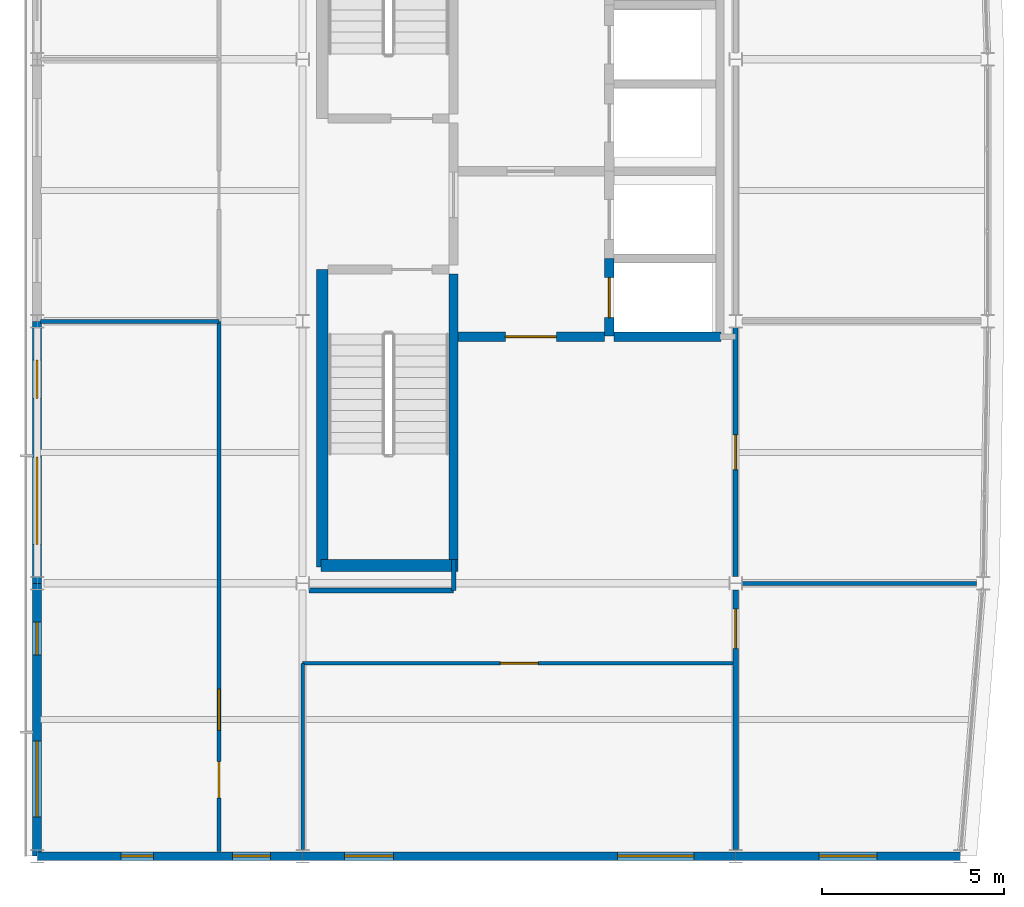
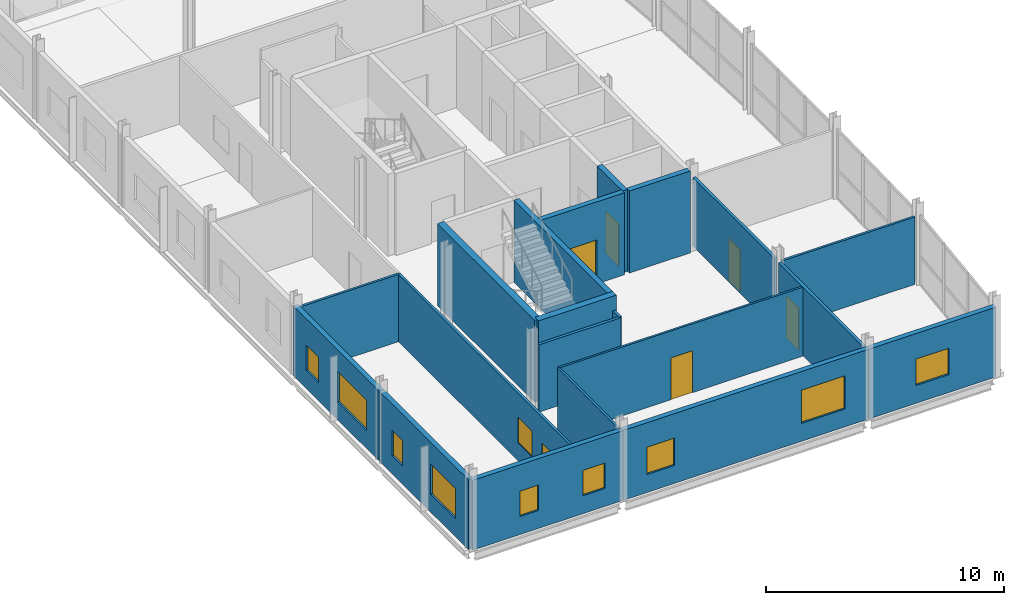
# One storey, part 11 of 16: 20 walls, 10 windows, 6 doors, 16 openings.
"""IFC4 building model written with IfcOpenShell, lengths in metres."""

import ifcopenshell
import ifcopenshell.guid

model = None  # the IFC model being written
_history = None  # IfcOwnerHistory: only IFC2X3 demands one
_inside = {}  # id of a spatial element -> (the spatial element, [elements in it])
_under = {}  # id of a project, library or spatial element -> (it, [spatial elements below it])
_declared = {}  # id of a project -> (the project, [libraries it declares])
_typed = {}  # id of a type object -> (the type object, [elements of that type])
_made_of = {}  # id of a material, layer set ... -> (it, [elements and type objects made of it])


def new_model(schema):
    """Start an empty IFC model of exactly this schema.

    Asked for "IFC4X3", IfcOpenShell would pick the latest addendum, in which some entities
    have other attributes; the version numbers below select the first issue.
    IFC2X3 requires an IfcOwnerHistory on every rooted entity: one is made here for all.
    """
    global model, _history
    if schema == "IFC4X3":
        model = ifcopenshell.file(schema_version=(4, 3, 0, 0))
    else:
        model = ifcopenshell.file(schema=schema)
    _inside.clear()
    _under.clear()
    _declared.clear()
    _typed.clear()
    _made_of.clear()
    _history = None
    if model.schema == "IFC2X3":
        org = make("IfcOrganization", Name="unknown")
        user = make(
            "IfcPersonAndOrganization",
            ThePerson=make("IfcPerson", FamilyName="unknown"),
            TheOrganization=org,
        )
        app = make(
            "IfcApplication",
            ApplicationDeveloper=org,
            Version="unknown",
            ApplicationFullName="unknown",
            ApplicationIdentifier="unknown",
        )
        _history = make(
            "IfcOwnerHistory",
            OwningUser=user,
            OwningApplication=app,
            ChangeAction="ADDED",
            CreationDate=0,
        )
    return model


def make(cls, **values):
    """One entity of the class cls with the attributes given. An attribute that is None is left unset."""
    return model.create_entity(
        cls, **{name: value for name, value in values.items() if value is not None}
    )


def rooted(cls, **values):
    """An entity with a GlobalId (a new one), such as an element, a storey or a relation."""
    return make(cls, GlobalId=ifcopenshell.guid.new(), OwnerHistory=_history, **values)


def si_unit(unit_type, name, prefix=None):
    """IfcSIUnit, for example si_unit("LENGTHUNIT", "METRE", prefix="MILLI")."""
    return make("IfcSIUnit", UnitType=unit_type, Prefix=prefix, Name=name)


def assignment(units):
    """IfcUnitAssignment: the units of a project."""
    return None if units is None else make("IfcUnitAssignment", Units=units)


def point(xyz):
    """IfcCartesianPoint."""
    return None if xyz is None else make("IfcCartesianPoint", Coordinates=xyz)


def direction(xyz):
    """IfcDirection."""
    return None if xyz is None else make("IfcDirection", DirectionRatios=xyz)


def frame(location, z_axis=None, x_axis=None):
    """IfcAxis2Placement3D, a coordinate frame: its origin and axes. An axis left out is left unset."""
    return make(
        "IfcAxis2Placement3D",
        Location=point(location),
        Axis=direction(z_axis),
        RefDirection=direction(x_axis),
    )


def frame_2d(location, x_axis=None):
    """IfcAxis2Placement2D, a coordinate frame in the plane: its origin and x axis."""
    return make(
        "IfcAxis2Placement2D", Location=point(location), RefDirection=direction(x_axis)
    )


def origin():
    """The frame at (0, 0, 0) with its axes left unset."""
    return frame((0.0, 0.0, 0.0))


def place(relative_to, where):
    """IfcLocalPlacement: puts the frame where relative to a parent placement (None: the world)."""
    return make(
        "IfcLocalPlacement", PlacementRelTo=relative_to, RelativePlacement=where
    )


def context(
    kind, dimensions, precision=None, world=None, true_north=None, identifier=None
):
    """IfcGeometricRepresentationContext, for example the 3D "Model" context."""
    return make(
        "IfcGeometricRepresentationContext",
        ContextIdentifier=identifier,
        ContextType=kind,
        CoordinateSpaceDimension=dimensions,
        Precision=precision,
        WorldCoordinateSystem=world,
        TrueNorth=true_north,
    )


def subcontext(parent, identifier, kind, view, scale=None):
    """IfcGeometricRepresentationSubContext, for example "Body" below "Model"."""
    return make(
        "IfcGeometricRepresentationSubContext",
        ContextIdentifier=identifier,
        ContextType=kind,
        ParentContext=parent,
        TargetScale=scale,
        TargetView=view,
    )


def project(units=None, contexts=None):
    """IfcProject with its units and contexts."""
    return rooted(
        "IfcProject",
        Name="project",
        RepresentationContexts=contexts,
        UnitsInContext=assignment(units),
    )


def spatial(cls, under=None, at=None, **own):
    """A site, building, storey or space (cls), placed at a placement, below another one or the project."""
    s = rooted(cls, ObjectPlacement=at, **own)
    if under is not None:
        _under.setdefault(under.id(), (under, []))[1].append(s)
    return s


def profile(cls, at=None, kind="AREA", **sizes):
    """A parametric profile (cls). Its sizes go by their IFC names, for example OverallWidth=200.0."""
    return make(cls, ProfileType=kind, Position=at, **sizes)


def rectangle(**sizes):
    """IfcRectangleProfileDef."""
    return profile("IfcRectangleProfileDef", **sizes)


def extrude(swept, where, along, depth):
    """IfcExtrudedAreaSolid: the profile swept, set in the frame where, extruded along a direction by depth."""
    return make(
        "IfcExtrudedAreaSolid",
        SweptArea=swept,
        Position=where,
        ExtrudedDirection=direction(along),
        Depth=depth,
    )


def shape(context_of_items, identifier, shape_type, items):
    """IfcShapeRepresentation: the items that make up one representation, for example the "Body"."""
    return make(
        "IfcShapeRepresentation",
        ContextOfItems=context_of_items,
        RepresentationIdentifier=identifier,
        RepresentationType=shape_type,
        Items=items,
    )


def material(Name=None, Category=None):
    """IfcMaterial."""
    return make("IfcMaterial", Name=Name, Category=Category)


def layer(
    of_material, thickness, ventilated=None, Name=None, Category=None, Priority=None
):
    """IfcMaterialLayer: one layer of a wall or slab, of a material (None: an air gap)."""
    return make(
        "IfcMaterialLayer",
        Material=of_material,
        LayerThickness=thickness,
        IsVentilated=ventilated,
        Name=Name,
        Category=Category,
        Priority=Priority,
    )


def layer_set(layers, Name=None):
    """IfcMaterialLayerSet."""
    return make("IfcMaterialLayerSet", MaterialLayers=layers, LayerSetName=Name)


def made_of(thing, what):
    """Note that an element or type object is made of a material, layer set ...; save() writes the relation."""
    if what is not None:
        _made_of.setdefault(what.id(), (what, []))[1].append(thing)
    return thing


def type_object(cls, material=None, **own):
    """A type object (cls), such as IfcWallType, which elements share."""
    return made_of(rooted(cls, **own), material)


def element(
    cls,
    number,
    at=None,
    inside=None,
    cuts=None,
    type_object=None,
    material=None,
    context=None,
    identifier="Body",
    shape_type=None,
    held_by="IfcProductDefinitionShape",
    body=None,
    shapes=None,
    **own,
):
    """One element of the class cls, such as IfcWall. Its Tag is "e" and its number.

    at: its placement. inside: the storey or other place that contains it. cuts: it is an
    opening in that element (IfcRelVoidsElement). A single representation is given by context,
    identifier, shape_type and body (its items); several are given by shapes. held_by: the class
    of the entity that holds the representations. save() writes the other relations.
    """
    e = rooted(cls, Tag="e%d" % number, ObjectPlacement=at, **own)
    if body is not None:
        shapes = [shape(context, identifier, shape_type, body)]
    if shapes is not None:
        e.Representation = make(held_by, Representations=shapes)
    if inside is not None:
        _inside.setdefault(inside.id(), (inside, []))[1].append(e)
    if cuts is not None:
        rooted(
            "IfcRelVoidsElement", RelatingBuildingElement=cuts, RelatedOpeningElement=e
        )
    if type_object is not None:
        _typed.setdefault(type_object.id(), (type_object, []))[1].append(e)
    return made_of(e, material)


def fill(opening, filler):
    """IfcRelFillsElement: the door or window that sits in an opening."""
    return rooted(
        "IfcRelFillsElement",
        RelatingOpeningElement=opening,
        RelatedBuildingElement=filler,
    )


def aggregate(whole, parts):
    """IfcRelAggregates: a whole, such as a stair, and the parts it consists of."""
    return rooted("IfcRelAggregates", RelatingObject=whole, RelatedObjects=parts)


def save(model, path):
    """Write the relations noted so far, then the file.

    IfcRelAggregates (storeys below a building ...), IfcRelContainedInSpatialStructure (elements
    in a storey), IfcRelDefinesByType, IfcRelAssociatesMaterial and IfcRelDeclares: one each for
    every whole, place, type object, material and project.
    """
    for whole, parts in _under.values():
        aggregate(whole, parts)
    for where, things in _inside.values():
        rooted(
            "IfcRelContainedInSpatialStructure",
            RelatedElements=things,
            RelatingStructure=where,
        )
    for kind, things in _typed.values():
        rooted("IfcRelDefinesByType", RelatedObjects=things, RelatingType=kind)
    for what, things in _made_of.values():
        rooted("IfcRelAssociatesMaterial", RelatedObjects=things, RelatingMaterial=what)
    for by, libraries in _declared.values():
        rooted("IfcRelDeclares", RelatingContext=by, RelatedDefinitions=libraries)
    model.write(path)


model = new_model("IFC4")

# Units and contexts
model_context = context("Model", 3, precision=1e-05, world=origin(), true_north=direction((0.0, 1.0)))
body_context = subcontext(model_context, "Body", "Model", "MODEL_VIEW")
ifc_project = project(units=[si_unit("LENGTHUNIT", "METRE"), si_unit("AREAUNIT", "SQUARE_METRE"), si_unit("VOLUMEUNIT", "CUBIC_METRE"), si_unit("PLANEANGLEUNIT", "RADIAN"), si_unit("MASSUNIT", "GRAM", prefix="KILO")], contexts=[model_context])

# Site, building, storey
site_placement = place(None, origin())
site = spatial("IfcSite", under=ifc_project, at=site_placement, CompositionType="ELEMENT")
building_placement = place(site_placement, origin())
building = spatial("IfcBuilding", under=site, at=building_placement, Name="Quillay Park Conservatory", CompositionType="ELEMENT")
storey_placement = place(building_placement, frame((0.0, 0.0, 39.300048828125)))
storey = spatial("IfcBuildingStorey", under=building, at=storey_placement, Name="L09", CompositionType="ELEMENT", Elevation=39.300048828125)

# Wall, opening, door
ifc_material_1 = material(Name="Steel-Stud Acoustic Gypsum Board Partition", Category="steel")
ifc_layer_1 = layer(ifc_material_1, 0.10009765625)
ifc_layer_set_1 = layer_set([ifc_layer_1], Name="ACOUSTIC GYPSUM PARTITION 100 (Steel-Stud Acoustic Gypsum Board Partition)")
wall_type_1 = type_object("IfcWallType", Name="ACOUSTIC GYPSUM PARTITION 100", PredefinedType="PARTITIONING", material=ifc_layer_set_1)
wall_1_placement = place(storey_placement, frame((7.85009765625, 75.800048828125, 0.0), z_axis=(0.0, 0.0, 1.0), x_axis=(1.0, 0.0, 0.0)))
wall_1 = element("IfcWall", 1, at=wall_1_placement, inside=storey, type_object=wall_type_1, Name="L09 L09 Transcriptomics Computation Studio North Door Wall", PredefinedType="PARTITIONING", context=body_context, shape_type="SweptSolid", body=[
    extrude(rectangle(XDim=11.89990234375, YDim=0.10009765625, at=frame_2d((5.949951171875, 0.0))), origin(), (0.0, 0.0, 1.0), 3.52685546875),
])
opening_1_placement = place(wall_1_placement, frame((5.429931640625, 0.0, 0.0)))
opening_1 = element("IfcOpeningElement", 2, at=opening_1_placement, cuts=wall_1, Name="Opening D-RM10", PredefinedType="OPENING", context=body_context, shape_type="SweptSolid", body=[
    extrude(rectangle(XDim=1.0400390625, YDim=2.14990234375, at=frame_2d((0.52001953125, 1.074951171875))), frame((0.0, 0.050048828125, 0.0), z_axis=(0.0, -1.0, 0.0), x_axis=(1.0, 0.0, 0.0)), (0.0, 0.0, 1.0), 0.10009765625),
])
ifc_material_2 = material(Name="Thermally Broken Anodised Aluminium 6063-T6", Category="aluminium")
door_type_1 = type_object("IfcDoorType", Name="SINGLE SWING DOOR 1040 X2150", OperationType="NOTDEFINED", PredefinedType="DOOR", material=ifc_material_2)
door_1_placement = place(opening_1_placement, origin())
door_1 = element("IfcDoor", 3, at=door_1_placement, inside=storey, type_object=door_type_1, Name="L09 Door to L09 Transcriptomics Computation Studio", OperationType="SINGLE_SWING_RIGHT", OverallHeight=2.14990234375, OverallWidth=1.0400390625, PredefinedType="DOOR", context=body_context, shape_type="SweptSolid", body=[
    extrude(rectangle(XDim=1.0400390625, YDim=2.14990234375, at=frame_2d((0.52001953125, 1.074951171875))), frame((0.0, 0.02490234375, 0.0), z_axis=(0.0, -1.0, 0.0), x_axis=(1.0, 0.0, 0.0)), (0.0, 0.0, 1.0), 0.050048828125),
])
fill(opening_1, door_1)

# Walls
ifc_material_3 = material(Name="Steel-Stud Acoustic Gypsum Board Partition", Category="steel")
ifc_layer_2 = layer(ifc_material_3, 0.10498046875)
ifc_layer_set_2 = layer_set([ifc_layer_2], Name="ACOUSTIC GYPSUM PARTITION 105 (Steel-Stud Acoustic Gypsum Board Partition)")
wall_type_2 = type_object("IfcWallType", Name="ACOUSTIC GYPSUM PARTITION 105", PredefinedType="PARTITIONING", material=ifc_layer_set_2)
wall_2_placement = place(storey_placement, frame((7.85009765625, 70.677001953125, 0.0), z_axis=(0.0, 0.0, 1.0), x_axis=(0.0, 1.0, 0.0)))
element("IfcWall", 4, at=wall_2_placement, inside=storey, type_object=wall_type_2, Name="L09 South-Central West Wall", PredefinedType="PARTITIONING", context=body_context, shape_type="SweptSolid", body=[
    extrude(rectangle(XDim=5.123046875, YDim=0.10498046875, at=frame_2d((2.5615234375, 0.0))), origin(), (0.0, 0.0, 1.0), 3.52685546875),
])
ifc_material_4 = material(Name="Steel-Stud Acoustic Gypsum Board Partition", Category="steel")
ifc_layer_3 = layer(ifc_material_4, 0.110107421875)
ifc_layer_set_3 = layer_set([ifc_layer_3], Name="ACOUSTIC GYPSUM PARTITION 110 (Steel-Stud Acoustic Gypsum Board Partition)")
wall_type_3 = type_object("IfcWallType", Name="ACOUSTIC GYPSUM PARTITION 110", PredefinedType="PARTITIONING", material=ifc_layer_set_3)
wall_3_placement = place(storey_placement, frame((0.64990234375, 85.199951171875, 0.0), z_axis=(0.0, 0.0, 1.0), x_axis=(1.0, 0.0, 0.0)))
element("IfcWall", 5, at=wall_3_placement, inside=storey, type_object=wall_type_3, Name="L09 West Divider 85", PredefinedType="PARTITIONING", context=body_context, shape_type="SweptSolid", body=[
    extrude(rectangle(XDim=4.900146484375, YDim=0.110107421875, at=frame_2d((2.4501953125, 0.0))), origin(), (0.0, 0.0, 1.0), 3.450927734375),
])
wall_4_placement = place(storey_placement, frame((26.369384765625, 78.0, 0.0), z_axis=(0.0, 0.0, 1.0), x_axis=(-1.0, 0.0, 0.0)))
element("IfcWall", 6, at=wall_4_placement, inside=storey, type_object=wall_type_3, Name="L09 East Strip South Wall", PredefinedType="PARTITIONING", context=body_context, shape_type="SweptSolid", body=[
    extrude(rectangle(XDim=6.4423828125, YDim=0.110107421875, at=frame_2d((3.22119140625, 0.0))), origin(), (0.0, 0.0, 1.0), 3.450927734375),
])

# Wall, openings, window, door
ifc_material_5 = material(Name="Steel-Stud Acoustic Gypsum Board Partition", Category="steel")
ifc_layer_4 = layer(ifc_material_5, 0.1201171875)
ifc_layer_set_4 = layer_set([ifc_layer_4], Name="ACOUSTIC GYPSUM PARTITION 120 (Steel-Stud Acoustic Gypsum Board Partition)")
wall_type_4 = type_object("IfcWallType", Name="ACOUSTIC GYPSUM PARTITION 120", PredefinedType="PARTITIONING", material=ifc_layer_set_4)
wall_5_placement = place(storey_placement, frame((5.550048828125, 70.625, 0.0), z_axis=(0.0, 0.0, 1.0), x_axis=(0.0, 1.0, 0.0)))
wall_5 = element("IfcWall", 7, at=wall_5_placement, inside=storey, type_object=wall_type_4, Name="L09 L09 Plant Physiology and Proteomics Laboratory Corridor Wall", PredefinedType="PARTITIONING", context=body_context, shape_type="SweptSolid", body=[
    extrude(rectangle(XDim=14.574951171875, YDim=0.1201171875, at=frame_2d((7.28759765625, 0.0))), origin(), (0.0, 0.0, 1.0), 3.450927734375),
])
opening_2_placement = place(wall_5_placement, frame((1.47509765625, 0.0, 0.0)))
opening_2 = element("IfcOpeningElement", 8, at=opening_2_placement, cuts=wall_5, Name="Opening D-RM04", PredefinedType="OPENING", context=body_context, shape_type="SweptSolid", body=[
    extrude(rectangle(XDim=1.0, YDim=2.10009765625, at=frame_2d((0.5, 1.050048828125))), frame((0.0, 0.06005859375, 0.0), z_axis=(0.0, -1.0, 0.0), x_axis=(1.0, 0.0, 0.0)), (0.0, 0.0, 1.0), 0.1201171875),
])
opening_3_placement = place(wall_5_placement, frame((3.324951171875, 0.0, 0.919921875)))
opening_3 = element("IfcOpeningElement", 9, at=opening_3_placement, cuts=wall_5, Name="Opening W-IN10", PredefinedType="OPENING", context=body_context, shape_type="SweptSolid", body=[
    extrude(rectangle(XDim=1.14990234375, YDim=1.300048828125, at=frame_2d((0.574951171875, 0.64990234375))), frame((0.0, 0.06005859375, 0.0), z_axis=(0.0, -1.0, 0.0), x_axis=(1.0, 0.0, 0.0)), (0.0, 0.0, 1.0), 0.1201171875),
])
ifc_material_6 = material(Name="Low-E Double Glazing (Laminated Tempered)", Category="glass")
window_type_1 = type_object("IfcWindowType", Name="OPERABLE VENT WINDOW 1150 X1300", PartitioningType="SINGLE_PANEL", PredefinedType="WINDOW", material=ifc_material_6)
window_1_placement = place(opening_3_placement, origin())
window_1 = element("IfcWindow", 10, at=window_1_placement, inside=storey, type_object=window_type_1, Name="L09 Laboratory Vision Panel 034", OverallHeight=1.300048828125, OverallWidth=1.14990234375, PartitioningType="SINGLE_PANEL", PredefinedType="WINDOW", context=body_context, shape_type="SweptSolid", body=[
    extrude(rectangle(XDim=1.14990234375, YDim=1.300048828125, at=frame_2d((0.574951171875, 0.64990234375))), frame((0.0, 0.030029296875, 0.0), z_axis=(0.0, -1.0, 0.0), x_axis=(1.0, 0.0, 0.0)), (0.0, 0.0, 1.0), 0.06005859375),
])
fill(opening_3, window_1)
ifc_material_7 = material(Name="Thermally Broken Anodised Aluminium 6063-T6", Category="aluminium")
door_type_2 = type_object("IfcDoorType", Name="SINGLE SWING DOOR 1000 X2100", OperationType="NOTDEFINED", PredefinedType="DOOR", material=ifc_material_7)
door_2_placement = place(opening_2_placement, origin())
door_2 = element("IfcDoor", 11, at=door_2_placement, inside=storey, type_object=door_type_2, Name="L09 Door to L09 Plant Physiology and Proteomics Laboratory", OperationType="SINGLE_SWING_RIGHT", OverallHeight=2.10009765625, OverallWidth=1.0, PredefinedType="DOOR", context=body_context, shape_type="SweptSolid", body=[
    extrude(rectangle(XDim=1.0, YDim=2.10009765625, at=frame_2d((0.5, 1.050048828125))), frame((0.0, 0.02490234375, 0.0), z_axis=(0.0, -1.0, 0.0), x_axis=(1.0, 0.0, 0.0)), (0.0, 0.0, 1.0), 0.050048828125),
])
fill(opening_2, door_2)

# Walls
ifc_material_8 = material(Name="Steel-Stud Acoustic Gypsum Board Partition", Category="steel")
ifc_layer_5 = layer(ifc_material_8, 0.1298828125)
ifc_layer_set_5 = layer_set([ifc_layer_5], Name="ACOUSTIC GYPSUM PARTITION 130 (Steel-Stud Acoustic Gypsum Board Partition)")
wall_type_5 = type_object("IfcWallType", Name="ACOUSTIC GYPSUM PARTITION 130", PredefinedType="PARTITIONING", material=ifc_layer_set_5)
wall_6_placement = place(storey_placement, frame((12.0, 77.800048828125, 0.0), z_axis=(0.0, 0.0, 1.0), x_axis=(0.0, 1.0, 0.0)))
element("IfcWall", 12, at=wall_6_placement, inside=storey, type_object=wall_type_5, Name="L09 Core South Vestibule West Wall", PredefinedType="PARTITIONING", context=body_context, shape_type="SweptSolid", body=[
    extrude(rectangle(XDim=0.849853515625, YDim=0.1298828125, at=frame_2d((0.4248046875, 0.0))), origin(), (0.0, 0.0, 1.0), 3.450927734375),
])
ifc_material_9 = material(Name="Steel-Stud Acoustic Gypsum Board Partition", Category="steel")
ifc_layer_6 = layer(ifc_material_9, 0.139892578125)
ifc_layer_set_6 = layer_set([ifc_layer_6], Name="ACOUSTIC GYPSUM PARTITION 140 (Steel-Stud Acoustic Gypsum Board Partition)")
wall_type_6 = type_object("IfcWallType", Name="ACOUSTIC GYPSUM PARTITION 140", PredefinedType="PARTITIONING", material=ifc_layer_set_6)
wall_7_placement = place(storey_placement, frame((8.027099609375, 77.800048828125, 0.0), z_axis=(0.0, 0.0, 1.0), x_axis=(1.0, 0.0, 0.0)))
element("IfcWall", 13, at=wall_7_placement, inside=storey, type_object=wall_type_6, Name="L09 Core South-West Return", PredefinedType="PARTITIONING", context=body_context, shape_type="SweptSolid", body=[
    extrude(rectangle(XDim=3.972900390625, YDim=0.139892578125, at=frame_2d((1.986328125, 0.0))), origin(), (0.0, 0.0, 1.0), 3.450927734375),
])

# Wall, opening, door
wall_8_placement = place(storey_placement, frame((19.75, 78.180419921875, 0.0), z_axis=(0.0, 0.0, 1.0), x_axis=(0.0, 1.0, 0.0)))
wall_8 = element("IfcWall", 14, at=wall_8_placement, inside=storey, type_object=wall_type_6, Name="L09 L09 Library Prep Clean Bench Suite West Wall 1", PredefinedType="PARTITIONING", context=body_context, shape_type="SweptSolid", body=[
    extrude(rectangle(XDim=6.842529296875, YDim=0.139892578125, at=frame_2d((3.42138671875, 0.0))), origin(), (0.0, 0.0, 1.0), 3.52685546875),
])
opening_4_placement = place(wall_8_placement, frame((2.939453125, 0.0, 0.0)))
opening_4 = element("IfcOpeningElement", 15, at=opening_4_placement, cuts=wall_8, Name="Opening D-RM08", PredefinedType="OPENING", context=body_context, shape_type="SweptSolid", body=[
    extrude(rectangle(XDim=0.9599609375, YDim=2.14990234375, at=frame_2d((0.47998046875, 1.074951171875))), frame((0.0, 0.06982421875, 0.0), z_axis=(0.0, -1.0, 0.0), x_axis=(1.0, 0.0, 0.0)), (0.0, 0.0, 1.0), 0.139892578125),
])
ifc_material_10 = material(Name="Thermally Broken Anodised Aluminium 6063-T6", Category="aluminium")
door_type_3 = type_object("IfcDoorType", Name="SINGLE SWING DOOR 960 X2150", OperationType="NOTDEFINED", PredefinedType="DOOR", material=ifc_material_10)
door_3_placement = place(opening_4_placement, origin())
door_3 = element("IfcDoor", 16, at=door_3_placement, inside=storey, type_object=door_type_3, Name="L09 Door to L09 Library Prep Clean Bench Suite", OperationType="SINGLE_SWING_RIGHT", OverallHeight=2.14990234375, OverallWidth=0.9599609375, PredefinedType="DOOR", context=body_context, shape_type="SweptSolid", body=[
    extrude(rectangle(XDim=0.9599609375, YDim=2.14990234375, at=frame_2d((0.47998046875, 1.074951171875))), frame((0.0, 0.02490234375, 0.0), z_axis=(0.0, -1.0, 0.0), x_axis=(1.0, 0.0, 0.0)), (0.0, 0.0, 1.0), 0.050048828125),
])
fill(opening_4, door_3)

ifc_material_11 = material(Name="Steel-Stud Acoustic Gypsum Board Partition", Category="steel")
ifc_layer_7 = layer(ifc_material_11, 0.14990234375)
ifc_layer_set_7 = layer_set([ifc_layer_7], Name="ACOUSTIC GYPSUM PARTITION 150 (Steel-Stud Acoustic Gypsum Board Partition)")
wall_type_7 = type_object("IfcWallType", Name="ACOUSTIC GYPSUM PARTITION 150", PredefinedType="PARTITIONING", material=ifc_layer_set_7)
wall_9_placement = place(storey_placement, frame((19.75, 70.677001953125, 0.0), z_axis=(0.0, 0.0, 1.0), x_axis=(0.0, 1.0, 0.0)))
wall_9 = element("IfcWall", 17, at=wall_9_placement, inside=storey, type_object=wall_type_7, Name="L09 L09 Comparative Genome Browser Studio West Door Wall", PredefinedType="PARTITIONING", context=body_context, shape_type="SweptSolid", body=[
    extrude(rectangle(XDim=7.142578125, YDim=0.14990234375, at=frame_2d((3.5712890625, 0.0))), origin(), (0.0, 0.0, 1.0), 3.52685546875),
])
opening_5_placement = place(wall_9_placement, frame((5.532958984375, 0.0, 0.0)))
opening_5 = element("IfcOpeningElement", 18, at=opening_5_placement, cuts=wall_9, Name="Opening D-RM11", PredefinedType="OPENING", context=body_context, shape_type="SweptSolid", body=[
    extrude(rectangle(XDim=1.080078125, YDim=2.14990234375, at=frame_2d((0.5400390625, 1.074951171875))), frame((0.0, 0.074951171875, 0.0), z_axis=(0.0, -1.0, 0.0), x_axis=(1.0, 0.0, 0.0)), (0.0, 0.0, 1.0), 0.14990234375),
])
ifc_material_12 = material(Name="Thermally Broken Anodised Aluminium 6063-T6", Category="aluminium")
door_type_4 = type_object("IfcDoorType", Name="SINGLE SWING DOOR 1080 X2150", OperationType="NOTDEFINED", PredefinedType="DOOR", material=ifc_material_12)
door_4_placement = place(opening_5_placement, origin())
door_4 = element("IfcDoor", 19, at=door_4_placement, inside=storey, type_object=door_type_4, Name="L09 Door to L09 Comparative Genome Browser Studio", OperationType="SINGLE_SWING_LEFT", OverallHeight=2.14990234375, OverallWidth=1.080078125, PredefinedType="DOOR", context=body_context, shape_type="SweptSolid", body=[
    extrude(rectangle(XDim=1.080078125, YDim=2.14990234375, at=frame_2d((0.5400390625, 1.074951171875))), frame((0.0, 0.02490234375, 0.0), z_axis=(0.0, -1.0, 0.0), x_axis=(1.0, 0.0, 0.0)), (0.0, 0.0, 1.0), 0.050048828125),
])
fill(opening_5, door_4)

# Wall
ifc_material_13 = material(Name="Concrete C40/50 (NCh170 Concrete C40/50)", Category="concrete")
ifc_layer_8 = layer(ifc_material_13, 0.25)
ifc_layer_set_8 = layer_set([ifc_layer_8], Name="CORE SHEAR WALL 250 (Concrete C40/50 (NCh170 Concrete C40/50))")
wall_type_8 = type_object("IfcWallType", Name="CORE SHEAR WALL 250", PredefinedType="SHEAR", material=ifc_layer_set_8)
wall_10_placement = place(storey_placement, frame((11.9951171875, 78.64990234375, 0.0), z_axis=(0.0, 0.0, 1.0), x_axis=(0.0, 1.0, 0.0)))
element("IfcWall", 20, at=wall_10_placement, inside=storey, type_object=wall_type_8, Name="L09 Core Shear Wall WL-T2E-L09", PredefinedType="SHEAR", context=body_context, shape_type="SweptSolid", body=[
    extrude(rectangle(XDim=7.85009765625, YDim=0.25, at=frame_2d((3.925048828125, 0.0))), origin(), (0.0, 0.0, 1.0), 4.199951171875),
])

# Wall, opening, door
wall_11_placement = place(storey_placement, frame((12.1201171875, 84.77490234375, 0.0), z_axis=(0.0, 0.0, 1.0), x_axis=(1.0, 0.0, 0.0)))
wall_11 = element("IfcWall", 21, at=wall_11_placement, inside=storey, type_object=wall_type_8, Name="L09 Core Shear Wall WL-FFS-L09", PredefinedType="SHEAR", context=body_context, shape_type="SweptSolid", body=[
    extrude(rectangle(XDim=4.02978515625, YDim=0.25, at=frame_2d((2.014892578125, 0.0))), origin(), (0.0, 0.0, 1.0), 4.199951171875),
])
opening_6_placement = place(wall_11_placement, frame((1.300048828125, 0.0, 0.0)))
opening_6 = element("IfcOpeningElement", 22, at=opening_6_placement, cuts=wall_11, Name="Opening D-LB03", PredefinedType="OPENING", context=body_context, shape_type="SweptSolid", body=[
    extrude(rectangle(XDim=1.39990234375, YDim=2.25, at=frame_2d((0.699951171875, 1.125))), frame((0.0, 0.125, 0.0), z_axis=(0.0, -1.0, 0.0), x_axis=(1.0, 0.0, 0.0)), (0.0, 0.0, 1.0), 0.25),
])
ifc_material_14 = material(Name="Steel ASTM A572 Grade 50", Category="steel")
door_type_5 = type_object("IfcDoorType", Name="FIRE RATED LOBBY DOOR 1400 X2250", OperationType="NOTDEFINED", PredefinedType="DOOR", material=ifc_material_14)
door_5_placement = place(opening_6_placement, origin())
door_5 = element("IfcDoor", 23, at=door_5_placement, inside=storey, type_object=door_type_5, Name="L09 South Core Lobby Door", OperationType="SINGLE_SWING_RIGHT", OverallHeight=2.25, OverallWidth=1.39990234375, PredefinedType="DOOR", context=body_context, shape_type="SweptSolid", body=[
    extrude(rectangle(XDim=1.39990234375, YDim=2.25, at=frame_2d((0.699951171875, 1.125))), frame((0.0, 0.02490234375, 0.0), z_axis=(0.0, -1.0, 0.0), x_axis=(1.0, 0.0, 0.0)), (0.0, 0.0, 1.0), 0.050048828125),
])
fill(opening_6, door_5)

# Wall
wall_12_placement = place(storey_placement, frame((16.39990234375, 84.77490234375, 0.0), z_axis=(0.0, 0.0, 1.0), x_axis=(1.0, 0.0, 0.0)))
element("IfcWall", 24, at=wall_12_placement, inside=storey, type_object=wall_type_8, Name="L09 Core Shear Wall WL-LFSO-L09", PredefinedType="SHEAR", context=body_context, shape_type="SweptSolid", body=[
    extrude(rectangle(XDim=2.9501953125, YDim=0.25, at=frame_2d((1.47509765625, 0.0))), origin(), (0.0, 0.0, 1.0), 4.199951171875),
])

# Wall, opening, door
wall_13_placement = place(storey_placement, frame((16.27490234375, 84.800048828125, 0.0), z_axis=(0.0, 0.0, 1.0), x_axis=(0.0, 1.0, 0.0)))
wall_13 = element("IfcWall", 25, at=wall_13_placement, inside=storey, type_object=wall_type_8, Name="L09 Core Shear Wall WL-LFFR-L09-LF-FF1", PredefinedType="SHEAR", context=body_context, shape_type="SweptSolid", body=[
    extrude(rectangle(XDim=2.125, YDim=0.25, at=frame_2d((1.0625, 0.0))), origin(), (0.0, 0.0, 1.0), 4.199951171875),
])
opening_7_placement = place(wall_13_placement, frame((0.5, 0.0, 0.0)))
opening_7 = element("IfcOpeningElement", 26, at=opening_7_placement, cuts=wall_13, Name="Opening LD01", PredefinedType="OPENING", context=body_context, shape_type="SweptSolid", body=[
    extrude(rectangle(XDim=1.10009765625, YDim=2.14990234375, at=frame_2d((0.550048828125, 1.074951171875))), frame((0.0, 0.125, 0.0), z_axis=(0.0, -1.0, 0.0), x_axis=(1.0, 0.0, 0.0)), (0.0, 0.0, 1.0), 0.25),
])
ifc_material_15 = material(Name="Steel ASTM A572 Grade 50", Category="steel")
door_type_6 = type_object("IfcDoorType", Name="LIFT LANDING SLIDING DOOR 1100 X2150", OperationType="NOTDEFINED", PredefinedType="DOOR", material=ifc_material_15)
door_6_placement = place(opening_7_placement, origin())
door_6 = element("IfcDoor", 27, at=door_6_placement, inside=storey, type_object=door_type_6, Name="L09 LF-FF1 Lift Landing Door LD01", OperationType="SLIDING_TO_LEFT", OverallHeight=2.14990234375, OverallWidth=1.10009765625, PredefinedType="DOOR", context=body_context, shape_type="SweptSolid", body=[
    extrude(rectangle(XDim=1.10009765625, YDim=2.14990234375, at=frame_2d((0.550048828125, 1.074951171875))), frame((0.0, 0.02490234375, 0.0), z_axis=(0.0, -1.0, 0.0), x_axis=(1.0, 0.0, 0.0)), (0.0, 0.0, 1.0), 0.050048828125),
])
fill(opening_7, door_6)

# Walls
ifc_material_16 = material(Name="Concrete C40/50 (NCh170 Concrete C40/50)", Category="concrete")
ifc_layer_9 = layer(ifc_material_16, 0.320068359375)
ifc_layer_set_9 = layer_set([ifc_layer_9], Name="CORE SHEAR WALL 320 (Concrete C40/50 (NCh170 Concrete C40/50))")
wall_type_9 = type_object("IfcWallType", Name="CORE SHEAR WALL 320", PredefinedType="SHEAR", material=ifc_layer_set_9)
wall_14_placement = place(storey_placement, frame((8.389892578125, 78.449951171875, 0.0), z_axis=(0.0, 0.0, 1.0), x_axis=(0.0, 1.0, 0.0)))
element("IfcWall", 28, at=wall_14_placement, inside=storey, type_object=wall_type_9, Name="L09 Core Shear Wall WL-TCW-S-L09", PredefinedType="SHEAR", context=body_context, shape_type="SweptSolid", body=[
    extrude(rectangle(XDim=8.175048828125, YDim=0.320068359375, at=frame_2d((4.08740234375, 0.0))), origin(), (0.0, 0.0, 1.0), 4.199951171875),
])
wall_15_placement = place(storey_placement, frame((8.35009765625, 78.489990234375, 0.0), z_axis=(0.0, 0.0, 1.0), x_axis=(1.0, 0.0, 0.0)))
element("IfcWall", 29, at=wall_15_placement, inside=storey, type_object=wall_type_9, Name="L09 Core Shear Wall WL-TCS-L09", PredefinedType="SHEAR", context=body_context, shape_type="SweptSolid", body=[
    extrude(rectangle(XDim=3.77001953125, YDim=0.320068359375, at=frame_2d((1.885009765625, 0.0))), origin(), (0.0, 0.0, 1.0), 4.199951171875),
])

# Wall, openings, windows
ifc_material_17 = material(Name="Glass-Fibre Reinforced Concrete (GRC) Cladding", Category="concrete")
ifc_layer_10 = layer(ifc_material_17, 0.239990234375)
ifc_layer_set_10 = layer_set([ifc_layer_10], Name="EXTERIOR SOLID WALL 240 (Glass-Fibre Reinforced Concrete (GRC) Cladding)")
wall_type_10 = type_object("IfcWallType", Name="EXTERIOR SOLID WALL 240", PredefinedType="SOLIDWALL", material=ifc_layer_set_10)
wall_16_placement = place(storey_placement, frame((0.550048828125, 70.5, 0.0), z_axis=(0.0, 0.0, 1.0), x_axis=(0.0, 1.0, 0.0)))
wall_16 = element("IfcWall", 30, at=wall_16_placement, inside=storey, type_object=wall_type_10, Name="L09 External Wall WL-EXT-V4W-L09-0", PredefinedType="SOLIDWALL", context=body_context, shape_type="SweptSolid", body=[
    extrude(rectangle(XDim=7.5, YDim=0.239990234375, at=frame_2d((3.75, 0.0))), origin(), (0.0, 0.0, 1.0), 3.576904296875),
])
opening_8_placement = place(wall_16_placement, frame((1.070068359375, 0.0, 0.919921875)))
opening_8 = element("IfcOpeningElement", 31, at=opening_8_placement, cuts=wall_16, Name="Opening W-10", PredefinedType="OPENING", context=body_context, shape_type="SweptSolid", body=[
    extrude(rectangle(XDim=2.10009765625, YDim=1.550048828125, at=frame_2d((1.050048828125, 0.77490234375))), frame((0.0, 0.1201171875, 0.0), z_axis=(0.0, -1.0, 0.0), x_axis=(1.0, 0.0, 0.0)), (0.0, 0.0, 1.0), 0.239990234375),
])
opening_9_placement = place(wall_16_placement, frame((5.530029296875, 0.0, 0.919921875)))
opening_9 = element("IfcOpeningElement", 32, at=opening_9_placement, cuts=wall_16, Name="Opening W-17", PredefinedType="OPENING", context=body_context, shape_type="SweptSolid", body=[
    extrude(rectangle(XDim=0.89990234375, YDim=1.300048828125, at=frame_2d((0.449951171875, 0.64990234375))), frame((0.0, 0.1201171875, 0.0), z_axis=(0.0, -1.0, 0.0), x_axis=(1.0, 0.0, 0.0)), (0.0, 0.0, 1.0), 0.239990234375),
])
ifc_material_18 = material(Name="Low-E Double Glazing (Laminated Tempered)", Category="glass")
window_type_2 = type_object("IfcWindowType", Name="FIXED CASEMENT WINDOW 2100 X1550", PartitioningType="DOUBLE_PANEL_VERTICAL", PredefinedType="WINDOW", material=ifc_material_18)
window_2_placement = place(opening_8_placement, origin())
window_2 = element("IfcWindow", 33, at=window_2_placement, inside=storey, type_object=window_type_2, Name="L09 Exterior Window 0219", OverallHeight=1.550048828125, OverallWidth=2.10009765625, PartitioningType="DOUBLE_PANEL_VERTICAL", PredefinedType="WINDOW", context=body_context, shape_type="SweptSolid", body=[
    extrude(rectangle(XDim=2.10009765625, YDim=1.550048828125, at=frame_2d((1.050048828125, 0.77490234375))), frame((0.0, 0.030029296875, 0.0), z_axis=(0.0, -1.0, 0.0), x_axis=(1.0, 0.0, 0.0)), (0.0, 0.0, 1.0), 0.06005859375),
])
fill(opening_8, window_2)
ifc_material_19 = material(Name="Low-E Double Glazing (Laminated Tempered)", Category="glass")
window_type_3 = type_object("IfcWindowType", Name="FIXED CASEMENT WINDOW 900 X1300", PartitioningType="SINGLE_PANEL", PredefinedType="WINDOW", material=ifc_material_19)
window_3_placement = place(opening_9_placement, origin())
window_3 = element("IfcWindow", 34, at=window_3_placement, inside=storey, type_object=window_type_3, Name="L09 Exterior Window 0220", OverallHeight=1.300048828125, OverallWidth=0.89990234375, PartitioningType="SINGLE_PANEL", PredefinedType="WINDOW", context=body_context, shape_type="SweptSolid", body=[
    extrude(rectangle(XDim=0.89990234375, YDim=1.300048828125, at=frame_2d((0.449951171875, 0.64990234375))), frame((0.0, 0.030029296875, 0.0), z_axis=(0.0, -1.0, 0.0), x_axis=(1.0, 0.0, 0.0)), (0.0, 0.0, 1.0), 0.06005859375),
])
fill(opening_9, window_3)

wall_17_placement = place(storey_placement, frame((0.550048828125, 78.0, 0.0), z_axis=(0.0, 0.0, 1.0), x_axis=(0.0, 1.0, 0.0)))
wall_17 = element("IfcWall", 35, at=wall_17_placement, inside=storey, type_object=wall_type_10, Name="L09 External Wall WL-EXT-V4W-L09-1", PredefinedType="SOLIDWALL", context=body_context, shape_type="SweptSolid", body=[
    extrude(rectangle(XDim=7.199951171875, YDim=0.239990234375, at=frame_2d((3.60009765625, 0.0))), origin(), (0.0, 0.0, 1.0), 3.576904296875),
])
opening_10_placement = place(wall_17_placement, frame((1.070068359375, 0.0, 0.919921875)))
opening_10 = element("IfcOpeningElement", 36, at=opening_10_placement, cuts=wall_17, Name="Opening W-11", PredefinedType="OPENING", context=body_context, shape_type="SweptSolid", body=[
    extrude(rectangle(XDim=2.39990234375, YDim=1.550048828125, at=frame_2d((1.199951171875, 0.77490234375))), frame((0.0, 0.1201171875, 0.0), z_axis=(0.0, -1.0, 0.0), x_axis=(1.0, 0.0, 0.0)), (0.0, 0.0, 1.0), 0.239990234375),
])
opening_11_placement = place(wall_17_placement, frame((5.080078125, 0.0, 0.919921875)))
opening_11 = element("IfcOpeningElement", 37, at=opening_11_placement, cuts=wall_17, Name="Opening W-18", PredefinedType="OPENING", context=body_context, shape_type="SweptSolid", body=[
    extrude(rectangle(XDim=1.050048828125, YDim=1.300048828125, at=frame_2d((0.52490234375, 0.64990234375))), frame((0.0, 0.1201171875, 0.0), z_axis=(0.0, -1.0, 0.0), x_axis=(1.0, 0.0, 0.0)), (0.0, 0.0, 1.0), 0.239990234375),
])
ifc_material_20 = material(Name="Low-E Double Glazing (Laminated Tempered)", Category="glass")
window_type_4 = type_object("IfcWindowType", Name="FIXED CASEMENT WINDOW 1050 X1300", PartitioningType="SINGLE_PANEL", PredefinedType="WINDOW", material=ifc_material_20)
window_4_placement = place(opening_11_placement, origin())
window_4 = element("IfcWindow", 38, at=window_4_placement, inside=storey, type_object=window_type_4, Name="L09 Exterior Window 0222", OverallHeight=1.300048828125, OverallWidth=1.050048828125, PartitioningType="SINGLE_PANEL", PredefinedType="WINDOW", context=body_context, shape_type="SweptSolid", body=[
    extrude(rectangle(XDim=1.050048828125, YDim=1.300048828125, at=frame_2d((0.52490234375, 0.64990234375))), frame((0.0, 0.030029296875, 0.0), z_axis=(0.0, -1.0, 0.0), x_axis=(1.0, 0.0, 0.0)), (0.0, 0.0, 1.0), 0.06005859375),
])
fill(opening_11, window_4)
ifc_material_21 = material(Name="Low-E Double Glazing (Laminated Tempered)", Category="glass")
window_type_5 = type_object("IfcWindowType", Name="FIXED CASEMENT WINDOW 2400 X1550", PartitioningType="DOUBLE_PANEL_VERTICAL", PredefinedType="WINDOW", material=ifc_material_21)
window_5_placement = place(opening_10_placement, origin())
window_5 = element("IfcWindow", 39, at=window_5_placement, inside=storey, type_object=window_type_5, Name="L09 Exterior Window 0221", OverallHeight=1.550048828125, OverallWidth=2.39990234375, PartitioningType="DOUBLE_PANEL_VERTICAL", PredefinedType="WINDOW", context=body_context, shape_type="SweptSolid", body=[
    extrude(rectangle(XDim=2.39990234375, YDim=1.550048828125, at=frame_2d((1.199951171875, 0.77490234375))), frame((0.0, 0.030029296875, 0.0), z_axis=(0.0, -1.0, 0.0), x_axis=(1.0, 0.0, 0.0)), (0.0, 0.0, 1.0), 0.06005859375),
])
fill(opening_10, window_5)

wall_18_placement = place(storey_placement, frame((7.85009765625, 70.5, 0.0), z_axis=(0.0, 0.0, 1.0), x_axis=(-1.0, 0.0, 0.0)))
wall_18 = element("IfcWall", 40, at=wall_18_placement, inside=storey, type_object=wall_type_10, Name="L09 External Wall WL-EXT-V4S1-L09", PredefinedType="SOLIDWALL", context=body_context, shape_type="SweptSolid", body=[
    extrude(rectangle(XDim=7.300048828125, YDim=0.239990234375, at=frame_2d((3.64990234375, 0.0))), origin(), (0.0, 0.0, 1.0), 3.576904296875),
])
opening_12_placement = place(wall_18_placement, frame((0.8798828125, 0.0, 0.919921875)))
opening_12 = element("IfcOpeningElement", 41, at=opening_12_placement, cuts=wall_18, Name="Opening W-18", PredefinedType="OPENING", context=body_context, shape_type="SweptSolid", body=[
    extrude(rectangle(XDim=1.050048828125, YDim=1.300048828125, at=frame_2d((0.52490234375, 0.64990234375))), frame((0.0, 0.1201171875, 0.0), z_axis=(0.0, -1.0, 0.0), x_axis=(1.0, 0.0, 0.0)), (0.0, 0.0, 1.0), 0.239990234375),
])
opening_13_placement = place(wall_18_placement, frame((4.094970703125, 0.0, 0.919921875)))
opening_13 = element("IfcOpeningElement", 42, at=opening_13_placement, cuts=wall_18, Name="Opening W-17", PredefinedType="OPENING", context=body_context, shape_type="SweptSolid", body=[
    extrude(rectangle(XDim=0.89990234375, YDim=1.300048828125, at=frame_2d((0.449951171875, 0.64990234375))), frame((0.0, 0.1201171875, 0.0), z_axis=(0.0, -1.0, 0.0), x_axis=(1.0, 0.0, 0.0)), (0.0, 0.0, 1.0), 0.239990234375),
])
window_6_placement = place(opening_12_placement, origin())
window_6 = element("IfcWindow", 43, at=window_6_placement, inside=storey, type_object=window_type_4, Name="L09 Exterior Window 0231", OverallHeight=1.300048828125, OverallWidth=1.050048828125, PartitioningType="SINGLE_PANEL", PredefinedType="WINDOW", context=body_context, shape_type="SweptSolid", body=[
    extrude(rectangle(XDim=1.050048828125, YDim=1.300048828125, at=frame_2d((0.52490234375, 0.64990234375))), frame((0.0, 0.030029296875, 0.0), z_axis=(0.0, -1.0, 0.0), x_axis=(1.0, 0.0, 0.0)), (0.0, 0.0, 1.0), 0.06005859375),
])
fill(opening_12, window_6)
window_7_placement = place(opening_13_placement, origin())
window_7 = element("IfcWindow", 44, at=window_7_placement, inside=storey, type_object=window_type_3, Name="L09 Exterior Window 0232", OverallHeight=1.300048828125, OverallWidth=0.89990234375, PartitioningType="SINGLE_PANEL", PredefinedType="WINDOW", context=body_context, shape_type="SweptSolid", body=[
    extrude(rectangle(XDim=0.89990234375, YDim=1.300048828125, at=frame_2d((0.449951171875, 0.64990234375))), frame((0.0, 0.030029296875, 0.0), z_axis=(0.0, -1.0, 0.0), x_axis=(1.0, 0.0, 0.0)), (0.0, 0.0, 1.0), 0.06005859375),
])
fill(opening_13, window_7)

wall_19_placement = place(storey_placement, frame((19.75, 70.5, 0.0), z_axis=(0.0, 0.0, 1.0), x_axis=(-1.0, 0.0, 0.0)))
wall_19 = element("IfcWall", 45, at=wall_19_placement, inside=storey, type_object=wall_type_10, Name="L09 External Wall WL-EXT-V4S2-L09", PredefinedType="SOLIDWALL", context=body_context, shape_type="SweptSolid", body=[
    extrude(rectangle(XDim=11.89990234375, YDim=0.239990234375, at=frame_2d((5.949951171875, 0.0))), origin(), (0.0, 0.0, 1.0), 3.576904296875),
])
opening_14_placement = place(wall_19_placement, frame((1.14990234375, 0.0, 0.919921875)))
opening_14 = element("IfcOpeningElement", 46, at=opening_14_placement, cuts=wall_19, Name="Opening W-15", PredefinedType="OPENING", context=body_context, shape_type="SweptSolid", body=[
    extrude(rectangle(XDim=2.10009765625, YDim=1.699951171875, at=frame_2d((1.050048828125, 0.85009765625))), frame((0.0, 0.1201171875, 0.0), z_axis=(0.0, -1.0, 0.0), x_axis=(1.0, 0.0, 0.0)), (0.0, 0.0, 1.0), 0.239990234375),
])
opening_15_placement = place(wall_19_placement, frame((9.39990234375, 0.0, 0.919921875)))
opening_15 = element("IfcOpeningElement", 47, at=opening_15_placement, cuts=wall_19, Name="Opening W-02", PredefinedType="OPENING", context=body_context, shape_type="SweptSolid", body=[
    extrude(rectangle(XDim=1.35009765625, YDim=1.39990234375, at=frame_2d((0.675048828125, 0.699951171875))), frame((0.0, 0.1201171875, 0.0), z_axis=(0.0, -1.0, 0.0), x_axis=(1.0, 0.0, 0.0)), (0.0, 0.0, 1.0), 0.239990234375),
])
ifc_material_22 = material(Name="Low-E Double Glazing (Laminated Tempered)", Category="glass")
window_type_6 = type_object("IfcWindowType", Name="FIXED CASEMENT WINDOW 1350 X1400", PartitioningType="SINGLE_PANEL", PredefinedType="WINDOW", material=ifc_material_22)
window_8_placement = place(opening_15_placement, origin())
window_8 = element("IfcWindow", 48, at=window_8_placement, inside=storey, type_object=window_type_6, Name="L09 Exterior Window 0234", OverallHeight=1.39990234375, OverallWidth=1.35009765625, PartitioningType="SINGLE_PANEL", PredefinedType="WINDOW", context=body_context, shape_type="SweptSolid", body=[
    extrude(rectangle(XDim=1.35009765625, YDim=1.39990234375, at=frame_2d((0.675048828125, 0.699951171875))), frame((0.0, 0.030029296875, 0.0), z_axis=(0.0, -1.0, 0.0), x_axis=(1.0, 0.0, 0.0)), (0.0, 0.0, 1.0), 0.06005859375),
])
fill(opening_15, window_8)
ifc_material_23 = material(Name="Low-E Double Glazing (Laminated Tempered)", Category="glass")
window_type_7 = type_object("IfcWindowType", Name="FIXED CASEMENT WINDOW 2100 X1700", PartitioningType="DOUBLE_PANEL_VERTICAL", PredefinedType="WINDOW", material=ifc_material_23)
window_9_placement = place(opening_14_placement, origin())
window_9 = element("IfcWindow", 49, at=window_9_placement, inside=storey, type_object=window_type_7, Name="L09 Exterior Window 0233", OverallHeight=1.699951171875, OverallWidth=2.10009765625, PartitioningType="DOUBLE_PANEL_VERTICAL", PredefinedType="WINDOW", context=body_context, shape_type="SweptSolid", body=[
    extrude(rectangle(XDim=2.10009765625, YDim=1.699951171875, at=frame_2d((1.050048828125, 0.85009765625))), frame((0.0, 0.030029296875, 0.0), z_axis=(0.0, -1.0, 0.0), x_axis=(1.0, 0.0, 0.0)), (0.0, 0.0, 1.0), 0.06005859375),
])
fill(opening_14, window_9)

# Wall, opening, window
wall_20_placement = place(storey_placement, frame((25.925048828125, 70.5, 0.0), z_axis=(0.0, 0.0, 1.0), x_axis=(-1.0, 0.0, 0.0)))
wall_20 = element("IfcWall", 50, at=wall_20_placement, inside=storey, type_object=wall_type_10, Name="L09 External Wall WL-EXT-V4S3-L09", PredefinedType="SOLIDWALL", context=body_context, shape_type="SweptSolid", body=[
    extrude(rectangle(XDim=6.175048828125, YDim=0.239990234375, at=frame_2d((3.08740234375, 0.0))), origin(), (0.0, 0.0, 1.0), 3.576904296875),
])
opening_16_placement = place(wall_20_placement, frame((2.28759765625, 0.0, 0.919921875)))
opening_16 = element("IfcOpeningElement", 51, at=opening_16_placement, cuts=wall_20, Name="Opening W-19", PredefinedType="OPENING", context=body_context, shape_type="SweptSolid", body=[
    extrude(rectangle(XDim=1.60009765625, YDim=1.35009765625, at=frame_2d((0.800048828125, 0.675048828125))), frame((0.0, 0.1201171875, 0.0), z_axis=(0.0, -1.0, 0.0), x_axis=(1.0, 0.0, 0.0)), (0.0, 0.0, 1.0), 0.239990234375),
])
ifc_material_24 = material(Name="Low-E Double Glazing (Laminated Tempered)", Category="glass")
window_type_8 = type_object("IfcWindowType", Name="FIXED CASEMENT WINDOW 1600 X1350", PartitioningType="DOUBLE_PANEL_VERTICAL", PredefinedType="WINDOW", material=ifc_material_24)
window_10_placement = place(opening_16_placement, origin())
window_10 = element("IfcWindow", 52, at=window_10_placement, inside=storey, type_object=window_type_8, Name="L09 Exterior Window 0235", OverallHeight=1.35009765625, OverallWidth=1.60009765625, PartitioningType="DOUBLE_PANEL_VERTICAL", PredefinedType="WINDOW", context=body_context, shape_type="SweptSolid", body=[
    extrude(rectangle(XDim=1.60009765625, YDim=1.35009765625, at=frame_2d((0.800048828125, 0.675048828125))), frame((0.0, 0.030029296875, 0.0), z_axis=(0.0, -1.0, 0.0), x_axis=(1.0, 0.0, 0.0)), (0.0, 0.0, 1.0), 0.06005859375),
])
fill(opening_16, window_10)

save(model, "model.ifc")
